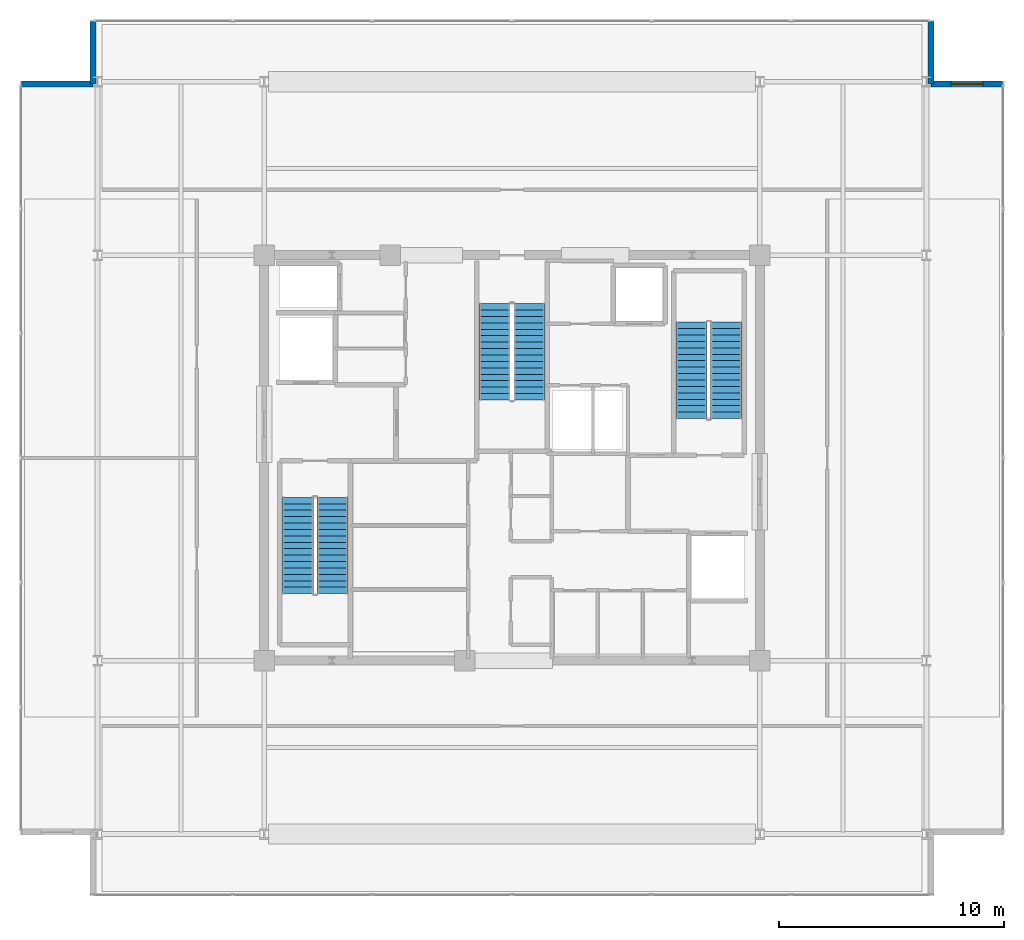
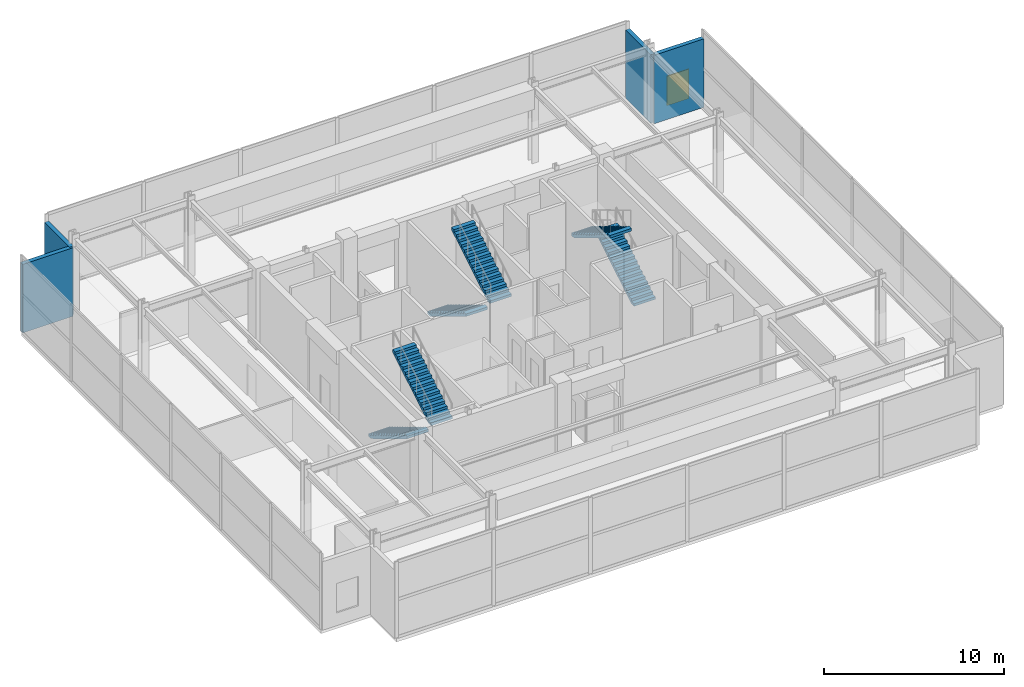
# One storey, part 20 of 24: 6 stair flights, 4 walls, 1 window, 1 opening, 3 elements without a shape of their own.
"""IFC4 building model written with IfcOpenShell, lengths in metres."""

from ifc_helpers import new_model, si_unit, direction, frame, frame_2d, origin, place, context, subcontext, project, spatial, polyline, rectangle, outline, extrude, material, layer, layer_set, type_object, element, fill, aggregate, save


model = new_model("IFC4")

# Units and contexts
model_context = context("Model", 3, precision=1e-05, world=origin(), true_north=direction((0.0, 1.0)))
body_context = subcontext(model_context, "Body", "Model", "MODEL_VIEW")
ifc_project = project(units=[si_unit("LENGTHUNIT", "METRE"), si_unit("AREAUNIT", "SQUARE_METRE"), si_unit("VOLUMEUNIT", "CUBIC_METRE"), si_unit("PLANEANGLEUNIT", "RADIAN"), si_unit("MASSUNIT", "GRAM", prefix="KILO")], contexts=[model_context])

# Site, building, storey
site_placement = place(None, origin())
site = spatial("IfcSite", under=ifc_project, at=site_placement, CompositionType="ELEMENT")
building_placement = place(site_placement, origin())
building = spatial("IfcBuilding", under=site, at=building_placement, Name="Kovane Verandah Tower", CompositionType="ELEMENT")
storey_placement = place(building_placement, frame((0.0, 0.0, 348.800048828125)))
storey = spatial("IfcBuildingStorey", under=building, at=storey_placement, Name="L81", CompositionType="ELEMENT", Elevation=348.800048828125)

# Wall, opening, window
ifc_material_1 = material(Name="Concrete C45/55 Insulated Spandrel Wall", Category="concrete")
ifc_layer = layer(ifc_material_1, 0.260009765625)
ifc_layer_set = layer_set([ifc_layer], Name="Concrete C45/55 Insulated Spandrel Wall")
wall_type = type_object("IfcWallType", Name="WL-SPANDREL-260", PredefinedType="PARAPET", material=ifc_layer_set)
wall_1_placement = place(storey_placement, frame((61.800048828125, 44.10009765625, 0.0), z_axis=(0.0, 0.0, 1.0), x_axis=(-1.0, 0.0, 0.0)))
wall_1 = element("IfcWall", 1, at=wall_1_placement, inside=storey, type_object=wall_type, Name="L81 NE Notch Cheek Wall 1", PredefinedType="PARAPET", context=body_context, shape_type="SweptSolid", body=[
    extrude(rectangle(XDim=3.199951171875, YDim=0.260009765625, at=frame_2d((1.60009765625, 0.0))), origin(), (0.0, 0.0, 1.0), 4.635498046875),
])
opening_placement = place(wall_1_placement, frame((0.89990234375, 0.0, 0.85009765625)))
opening = element("IfcOpeningElement", 2, at=opening_placement, cuts=wall_1, Name="Opening W-01", PredefinedType="OPENING", context=body_context, shape_type="SweptSolid", body=[
    extrude(rectangle(XDim=1.39990234375, YDim=2.0, at=frame_2d((0.699951171875, 1.0))), frame((0.0, 0.1298828125, 0.0), z_axis=(0.0, -1.0, 0.0), x_axis=(1.0, 0.0, 0.0)), (0.0, 0.0, 1.0), 0.260009765625),
])
ifc_material_2 = material(Name="Clear Low-E Laminated Double Glazing in Anodised Frame", Category="glass")
window_type = type_object("IfcWindowType", Name="WN-OPER-1400x2000", PartitioningType="SINGLE_PANEL", PredefinedType="WINDOW", material=ifc_material_2)
window_placement = place(opening_placement, origin())
window = element("IfcWindow", 3, at=window_placement, inside=storey, type_object=window_type, Name="L81 NE Re-Entrant Corner Operable Window", OverallHeight=2.0, OverallWidth=1.39990234375, PartitioningType="SINGLE_PANEL", PredefinedType="WINDOW", context=body_context, shape_type="SweptSolid", body=[
    extrude(rectangle(XDim=1.39990234375, YDim=2.0, at=frame_2d((0.699951171875, 1.0))), frame((0.0, 0.030029296875, 0.0), z_axis=(0.0, -1.0, 0.0), x_axis=(1.0, 0.0, 0.0)), (0.0, 0.0, 1.0), 0.06005859375),
])
fill(opening, window)

# Walls
for number, where, z_axis, x_axis, name in (
    (4, (58.60009765625, 44.10009765625, 0.0), (0.0, 0.0, 1.0), (0.0, 1.0, 0.0), "L81 NE Notch Cheek Wall 2"),
    (5, (21.39990234375, 46.89990234375, 0.0), (0.0, 0.0, 1.0), (0.0, -1.0, 0.0), "L81 NW Notch Cheek Wall 1"),
):
    element("IfcWall", number, at=place(storey_placement, frame(where, z_axis=z_axis, x_axis=x_axis)), inside=storey, type_object=wall_type, Name=name, PredefinedType="PARAPET", context=body_context, shape_type="SweptSolid", body=[
        extrude(rectangle(XDim=2.7998046875, YDim=0.260009765625, at=frame_2d((1.39990234375, 0.0))), origin(), (0.0, 0.0, 1.0), 4.635498046875),
    ])
wall_2_placement = place(storey_placement, frame((21.39990234375, 44.10009765625, 0.0), z_axis=(0.0, 0.0, 1.0), x_axis=(-1.0, 0.0, 0.0)))
element("IfcWall", 6, at=wall_2_placement, inside=storey, type_object=wall_type, Name="L81 NW Notch Cheek Wall 2", PredefinedType="PARAPET", context=body_context, shape_type="SweptSolid", body=[
    extrude(rectangle(XDim=3.199951171875, YDim=0.260009765625, at=frame_2d((1.60009765625, 0.0))), origin(), (0.0, 0.0, 1.0), 4.635498046875),
])

# Stair, stair flights
ifc_material_3 = material(Name="Concrete C45/55", Category="concrete")
stair_type = type_object("IfcStairType", Name="ST-CORE-1380", PredefinedType="HALF_TURN_STAIR", material=ifc_material_3)
stair_1_placement = place(storey_placement, origin())
stair_1 = element("IfcStair", 7, at=stair_1_placement, inside=storey, type_object=stair_type, Name="L81 Exit Stair ST-01", PredefinedType="HALF_TURN_STAIR")
stair_flight_type = type_object("IfcStairFlightType", Name="STF-CORE-1380", PredefinedType="STRAIGHT", material=ifc_material_3)
stair_flight_1_placement = place(storey_placement, frame((30.489990234375, 25.75, 0.0), z_axis=(0.0, 0.0, 1.0), x_axis=(0.0, -1.0, 0.0)))
stair_flight_1 = element("IfcStairFlight", 8, at=stair_flight_1_placement, type_object=stair_flight_type, Name="ST-01 flight 1", NumberOfRisers=16, NumberOfTreads=15, PredefinedType="STRAIGHT", RiserHeight=0.171875, TreadLength=0.285, context=body_context, shape_type="SweptSolid", body=[
    extrude(outline(polyline([(0.0, 0.0), (0.0, 0.171875), (0.284912109375, 0.171875), (0.284912109375, 0.34375), (0.570068359375, 0.34375), (0.570068359375, 0.515625), (0.85498046875, 0.515625), (0.85498046875, 0.6875), (1.139892578125, 0.6875), (1.139892578125, 0.859375), (1.425048828125, 0.859375), (1.425048828125, 1.03125), (1.7099609375, 1.03125), (1.7099609375, 1.203125), (1.9951171875, 1.203125), (1.9951171875, 1.375), (2.280029296875, 1.375), (2.280029296875, 1.546875), (2.56494140625, 1.546875), (2.56494140625, 1.71875), (2.85009765625, 1.71875), (2.85009765625, 1.890625), (3.135009765625, 1.890625), (3.135009765625, 2.0625), (3.419921875, 2.0625), (3.419921875, 2.234375), (3.705078125, 2.234375), (3.705078125, 2.40625), (3.989990234375, 2.40625), (3.989990234375, 2.578125), (4.27490234375, 2.578125), (4.27490234375, 2.75), (4.27490234375, 2.403076171875), (0.290283203125, 0.0), (0.0, 0.0)])), frame((0.0, 0.68994140625, 0.0), z_axis=(0.0, -1.0, 0.0), x_axis=(1.0, 0.0, 0.0)), (0.0, 0.0, 1.0), 1.3798828125),
])
stair_flight_2_placement = place(storey_placement, frame((32.030029296875, 21.47509765625, 2.75), z_axis=(0.0, 0.0, 1.0), x_axis=(0.0, 1.0, 0.0)))
stair_flight_2 = element("IfcStairFlight", 9, at=stair_flight_2_placement, type_object=stair_flight_type, Name="ST-01 flight 2", NumberOfRisers=16, NumberOfTreads=15, PredefinedType="STRAIGHT", RiserHeight=0.171875, TreadLength=0.285, context=body_context, shape_type="SweptSolid", body=[
    extrude(outline(polyline([(0.0, 0.0), (0.0, 0.171875), (0.284912109375, 0.171875), (0.284912109375, 0.34375), (0.570068359375, 0.34375), (0.570068359375, 0.515625), (0.85498046875, 0.515625), (0.85498046875, 0.6875), (1.139892578125, 0.6875), (1.139892578125, 0.859375), (1.425048828125, 0.859375), (1.425048828125, 1.03125), (1.7099609375, 1.03125), (1.7099609375, 1.203125), (1.9951171875, 1.203125), (1.9951171875, 1.375), (2.280029296875, 1.375), (2.280029296875, 1.546875), (2.56494140625, 1.546875), (2.56494140625, 1.71875), (2.85009765625, 1.71875), (2.85009765625, 1.890625), (3.135009765625, 1.890625), (3.135009765625, 2.0625), (3.419921875, 2.0625), (3.419921875, 2.234375), (3.705078125, 2.234375), (3.705078125, 2.40625), (3.989990234375, 2.40625), (3.989990234375, 2.578125), (4.27490234375, 2.578125), (4.27490234375, 2.75), (4.27490234375, 2.403076171875), (0.290283203125, 0.0), (0.0, 0.0)])), frame((0.0, 0.68994140625, 0.0), z_axis=(0.0, -1.0, 0.0), x_axis=(1.0, 0.0, 0.0)), (0.0, 0.0, 1.0), 1.3798828125),
])
aggregate(stair_1, [stair_flight_1, stair_flight_2])

stair_2_placement = place(storey_placement, origin())
stair_2 = element("IfcStair", 10, at=stair_2_placement, inside=storey, type_object=stair_type, Name="L81 Exit Stair ST-02", PredefinedType="HALF_TURN_STAIR")
stair_flight_3_placement = place(storey_placement, frame((49.510009765625, 29.25, 0.0), z_axis=(0.0, 0.0, 1.0), x_axis=(0.0, 1.0, 0.0)))
stair_flight_3 = element("IfcStairFlight", 11, at=stair_flight_3_placement, type_object=stair_flight_type, Name="ST-02 flight 1", NumberOfRisers=16, NumberOfTreads=15, PredefinedType="STRAIGHT", RiserHeight=0.171875, TreadLength=0.285, context=body_context, shape_type="SweptSolid", body=[
    extrude(outline(polyline([(0.0, 0.0), (0.0, 0.171875), (0.284912109375, 0.171875), (0.284912109375, 0.34375), (0.570068359375, 0.34375), (0.570068359375, 0.515625), (0.85498046875, 0.515625), (0.85498046875, 0.6875), (1.139892578125, 0.6875), (1.139892578125, 0.859375), (1.425048828125, 0.859375), (1.425048828125, 1.03125), (1.7099609375, 1.03125), (1.7099609375, 1.203125), (1.9951171875, 1.203125), (1.9951171875, 1.375), (2.280029296875, 1.375), (2.280029296875, 1.546875), (2.56494140625, 1.546875), (2.56494140625, 1.71875), (2.85009765625, 1.71875), (2.85009765625, 1.890625), (3.135009765625, 1.890625), (3.135009765625, 2.0625), (3.419921875, 2.0625), (3.419921875, 2.234375), (3.705078125, 2.234375), (3.705078125, 2.40625), (3.989990234375, 2.40625), (3.989990234375, 2.578125), (4.27490234375, 2.578125), (4.27490234375, 2.75), (4.27490234375, 2.403076171875), (0.290283203125, 0.0), (0.0, 0.0)])), frame((0.0, 0.68994140625, 0.0), z_axis=(0.0, -1.0, 0.0), x_axis=(1.0, 0.0, 0.0)), (0.0, 0.0, 1.0), 1.3798828125),
])
stair_flight_4_placement = place(storey_placement, frame((47.969970703125, 33.52490234375, 2.75), z_axis=(0.0, 0.0, 1.0), x_axis=(0.0, -1.0, 0.0)))
stair_flight_4 = element("IfcStairFlight", 12, at=stair_flight_4_placement, type_object=stair_flight_type, Name="ST-02 flight 2", NumberOfRisers=16, NumberOfTreads=15, PredefinedType="STRAIGHT", RiserHeight=0.171875, TreadLength=0.285, context=body_context, shape_type="SweptSolid", body=[
    extrude(outline(polyline([(0.0, 0.0), (0.0, 0.171875), (0.284912109375, 0.171875), (0.284912109375, 0.34375), (0.570068359375, 0.34375), (0.570068359375, 0.515625), (0.85498046875, 0.515625), (0.85498046875, 0.6875), (1.139892578125, 0.6875), (1.139892578125, 0.859375), (1.425048828125, 0.859375), (1.425048828125, 1.03125), (1.7099609375, 1.03125), (1.7099609375, 1.203125), (1.9951171875, 1.203125), (1.9951171875, 1.375), (2.280029296875, 1.375), (2.280029296875, 1.546875), (2.56494140625, 1.546875), (2.56494140625, 1.71875), (2.85009765625, 1.71875), (2.85009765625, 1.890625), (3.135009765625, 1.890625), (3.135009765625, 2.0625), (3.419921875, 2.0625), (3.419921875, 2.234375), (3.705078125, 2.234375), (3.705078125, 2.40625), (3.989990234375, 2.40625), (3.989990234375, 2.578125), (4.27490234375, 2.578125), (4.27490234375, 2.75), (4.27490234375, 2.403076171875), (0.290283203125, 0.0), (0.0, 0.0)])), frame((0.0, 0.68994140625, 0.0), z_axis=(0.0, -1.0, 0.0), x_axis=(1.0, 0.0, 0.0)), (0.0, 0.0, 1.0), 1.3798828125),
])
aggregate(stair_2, [stair_flight_3, stair_flight_4])

stair_3_placement = place(storey_placement, origin())
stair_3 = element("IfcStair", 13, at=stair_3_placement, inside=storey, type_object=stair_type, Name="L81 Exit Stair ST-03", PredefinedType="HALF_TURN_STAIR")
stair_flight_5_placement = place(storey_placement, frame((39.22998046875, 34.35009765625, 0.0), z_axis=(0.0, 0.0, 1.0), x_axis=(0.0, -1.0, 0.0)))
stair_flight_5 = element("IfcStairFlight", 14, at=stair_flight_5_placement, type_object=stair_flight_type, Name="ST-03 flight 1", NumberOfRisers=16, NumberOfTreads=15, PredefinedType="STRAIGHT", RiserHeight=0.171875, TreadLength=0.285, context=body_context, shape_type="SweptSolid", body=[
    extrude(outline(polyline([(0.0, 0.0), (0.0, 0.171875), (0.284912109375, 0.171875), (0.284912109375, 0.34375), (0.570068359375, 0.34375), (0.570068359375, 0.515625), (0.85498046875, 0.515625), (0.85498046875, 0.6875), (1.139892578125, 0.6875), (1.139892578125, 0.859375), (1.425048828125, 0.859375), (1.425048828125, 1.03125), (1.7099609375, 1.03125), (1.7099609375, 1.203125), (1.9951171875, 1.203125), (1.9951171875, 1.375), (2.280029296875, 1.375), (2.280029296875, 1.546875), (2.56494140625, 1.546875), (2.56494140625, 1.71875), (2.85009765625, 1.71875), (2.85009765625, 1.890625), (3.135009765625, 1.890625), (3.135009765625, 2.0625), (3.419921875, 2.0625), (3.419921875, 2.234375), (3.705078125, 2.234375), (3.705078125, 2.40625), (3.989990234375, 2.40625), (3.989990234375, 2.578125), (4.27490234375, 2.578125), (4.27490234375, 2.75), (4.27490234375, 2.403076171875), (0.290283203125, 0.0), (0.0, 0.0)])), frame((0.0, 0.68994140625, 0.0), z_axis=(0.0, -1.0, 0.0), x_axis=(1.0, 0.0, 0.0)), (0.0, 0.0, 1.0), 1.3798828125),
])
stair_flight_6_placement = place(storey_placement, frame((40.77001953125, 30.074951171875, 2.75), z_axis=(0.0, 0.0, 1.0), x_axis=(0.0, 1.0, 0.0)))
stair_flight_6 = element("IfcStairFlight", 15, at=stair_flight_6_placement, type_object=stair_flight_type, Name="ST-03 flight 2", NumberOfRisers=16, NumberOfTreads=15, PredefinedType="STRAIGHT", RiserHeight=0.171875, TreadLength=0.285, context=body_context, shape_type="SweptSolid", body=[
    extrude(outline(polyline([(0.0, 0.0), (0.0, 0.171875), (0.284912109375, 0.171875), (0.284912109375, 0.34375), (0.570068359375, 0.34375), (0.570068359375, 0.515625), (0.85498046875, 0.515625), (0.85498046875, 0.6875), (1.139892578125, 0.6875), (1.139892578125, 0.859375), (1.425048828125, 0.859375), (1.425048828125, 1.03125), (1.7099609375, 1.03125), (1.7099609375, 1.203125), (1.9951171875, 1.203125), (1.9951171875, 1.375), (2.280029296875, 1.375), (2.280029296875, 1.546875), (2.56494140625, 1.546875), (2.56494140625, 1.71875), (2.85009765625, 1.71875), (2.85009765625, 1.890625), (3.135009765625, 1.890625), (3.135009765625, 2.0625), (3.419921875, 2.0625), (3.419921875, 2.234375), (3.705078125, 2.234375), (3.705078125, 2.40625), (3.989990234375, 2.40625), (3.989990234375, 2.578125), (4.27490234375, 2.578125), (4.27490234375, 2.75), (4.27490234375, 2.403076171875), (0.290283203125, 0.0), (0.0, 0.0)])), frame((0.0, 0.68994140625, 0.0), z_axis=(0.0, -1.0, 0.0), x_axis=(1.0, 0.0, 0.0)), (0.0, 0.0, 1.0), 1.3798828125),
])
aggregate(stair_3, [stair_flight_5, stair_flight_6])

save(model, "model.ifc")
